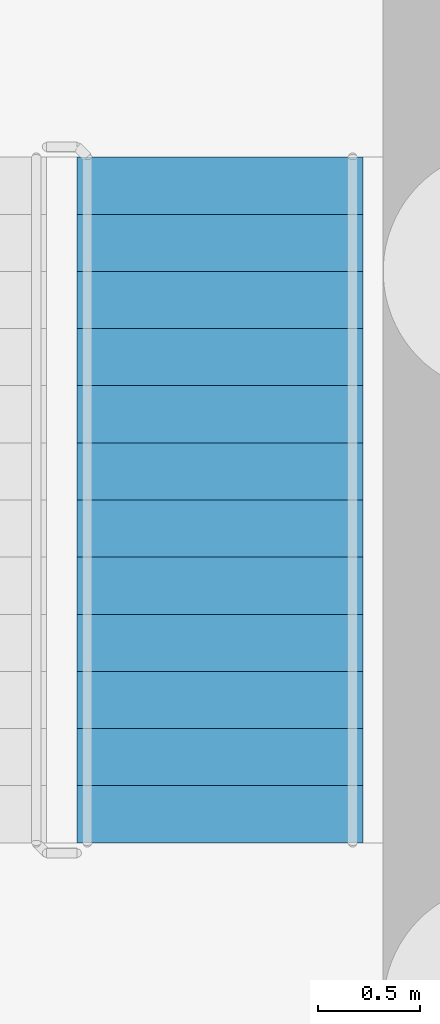
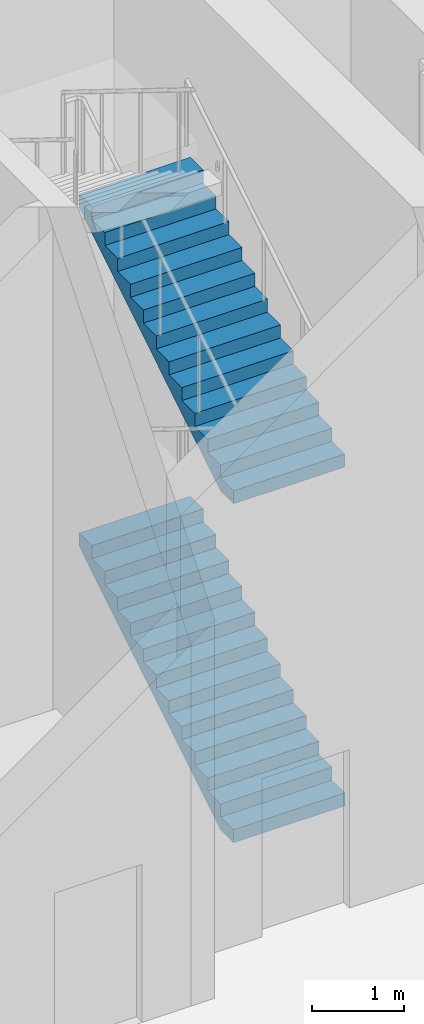
# One storey, part 10 of 18: 2 stair flights, 1 element without a shape of its own.
"""IFC4 building model written with IfcOpenShell, lengths in metres."""

from ifc_helpers import new_model, si_unit, direction, frame, origin, place, context, subcontext, project, spatial, polyline, outline, extrude, material, type_object, element, aggregate, save


model = new_model("IFC4")

# Units and contexts
model_context = context("Model", 3, precision=1e-05, world=origin(), true_north=direction((0.0, 1.0)))
body_context = subcontext(model_context, "Body", "Model", "MODEL_VIEW")
ifc_project = project(units=[si_unit("LENGTHUNIT", "METRE"), si_unit("AREAUNIT", "SQUARE_METRE"), si_unit("VOLUMEUNIT", "CUBIC_METRE"), si_unit("PLANEANGLEUNIT", "RADIAN"), si_unit("MASSUNIT", "GRAM", prefix="KILO")], contexts=[model_context])

# Site, building, storey
site_placement = place(None, origin())
site = spatial("IfcSite", under=ifc_project, at=site_placement, CompositionType="ELEMENT")
building_placement = place(site_placement, origin())
building = spatial("IfcBuilding", under=site, at=building_placement, Name="Mopane Tessera Tower", CompositionType="ELEMENT")
storey_placement = place(building_placement, origin())
storey = spatial("IfcBuildingStorey", under=building, at=storey_placement, Name="L00", CompositionType="ELEMENT", Elevation=0.0)

# Stair, stair flights
ifc_material_1 = material(Name="Concrete C50/60", Category="concrete")
stair_type = type_object("IfcStairType", Name="Escape stair 1400 mm, riser 173 mm", PredefinedType="HALF_TURN_STAIR", material=ifc_material_1)
stair_placement = place(storey_placement, origin())
stair = element("IfcStair", 1, at=stair_placement, inside=storey, type_object=stair_type, Name="L00 Escape stair north-east", PredefinedType="HALF_TURN_STAIR")
ifc_material_2 = material(Name="Concrete C50/60", Category="concrete")
stair_flight_type = type_object("IfcStairFlightType", Name="Escape stair flight 1400 mm", PredefinedType="STRAIGHT", material=ifc_material_2)
stair_flight_1_placement = place(storey_placement, frame((13.0, 7.699951171875, 0.0), z_axis=(0.0, 0.0, 1.0), x_axis=(0.0, 1.0, 0.0)))
stair_flight_1 = element("IfcStairFlight", 2, at=stair_flight_1_placement, type_object=stair_flight_type, Name="ST4 flight 1", NumberOfRisers=13, NumberOfTreads=12, PredefinedType="STRAIGHT", RiserHeight=0.173076923, TreadLength=0.28, context=body_context, shape_type="SweptSolid", body=[
    extrude(outline(polyline([(0.0, 0.0), (0.0, 0.173095703125), (0.280029296875, 0.173095703125), (0.280029296875, 0.34619140625), (0.56005859375, 0.34619140625), (0.56005859375, 0.519287109375), (0.840087890625, 0.519287109375), (0.840087890625, 0.6923828125), (1.1201171875, 0.6923828125), (1.1201171875, 0.865478515625), (1.39990234375, 0.865478515625), (1.39990234375, 1.03857421875), (1.679931640625, 1.03857421875), (1.679931640625, 1.21142578125), (1.9599609375, 1.21142578125), (1.9599609375, 1.384521484375), (2.239990234375, 1.384521484375), (2.239990234375, 1.5576171875), (2.52001953125, 1.5576171875), (2.52001953125, 1.730712890625), (2.800048828125, 1.730712890625), (2.800048828125, 1.90380859375), (3.080078125, 1.90380859375), (3.080078125, 2.076904296875), (3.360107421875, 2.076904296875), (3.360107421875, 2.25), (3.360107421875, 1.900634765625), (0.28515625, 0.0), (0.0, 0.0)])), frame((0.0, 0.699951171875, 0.0), z_axis=(0.0, -1.0, 0.0), x_axis=(1.0, 0.0, 0.0)), (0.0, 0.0, 1.0), 1.39990234375),
])
stair_flight_2_placement = place(storey_placement, frame((13.0, 7.699951171875, 4.5), z_axis=(0.0, 0.0, 1.0), x_axis=(0.0, 1.0, 0.0)))
stair_flight_2 = element("IfcStairFlight", 3, at=stair_flight_2_placement, type_object=stair_flight_type, Name="ST4 flight 3", NumberOfRisers=13, NumberOfTreads=12, PredefinedType="STRAIGHT", RiserHeight=0.173076923, TreadLength=0.28, context=body_context, shape_type="SweptSolid", body=[
    extrude(outline(polyline([(0.0, 0.0), (0.0, 0.173095703125), (0.280029296875, 0.173095703125), (0.280029296875, 0.34619140625), (0.56005859375, 0.34619140625), (0.56005859375, 0.519287109375), (0.840087890625, 0.519287109375), (0.840087890625, 0.6923828125), (1.1201171875, 0.6923828125), (1.1201171875, 0.865478515625), (1.39990234375, 0.865478515625), (1.39990234375, 1.03857421875), (1.679931640625, 1.03857421875), (1.679931640625, 1.21142578125), (1.9599609375, 1.21142578125), (1.9599609375, 1.384521484375), (2.239990234375, 1.384521484375), (2.239990234375, 1.5576171875), (2.52001953125, 1.5576171875), (2.52001953125, 1.730712890625), (2.800048828125, 1.730712890625), (2.800048828125, 1.90380859375), (3.080078125, 1.90380859375), (3.080078125, 2.076904296875), (3.360107421875, 2.076904296875), (3.360107421875, 2.25), (3.360107421875, 1.900634765625), (0.28515625, 0.0), (0.0, 0.0)])), frame((0.0, 0.699951171875, 0.0), z_axis=(0.0, -1.0, 0.0), x_axis=(1.0, 0.0, 0.0)), (0.0, 0.0, 1.0), 1.39990234375),
])
aggregate(stair, [stair_flight_1, stair_flight_2])

save(model, "model.ifc")
